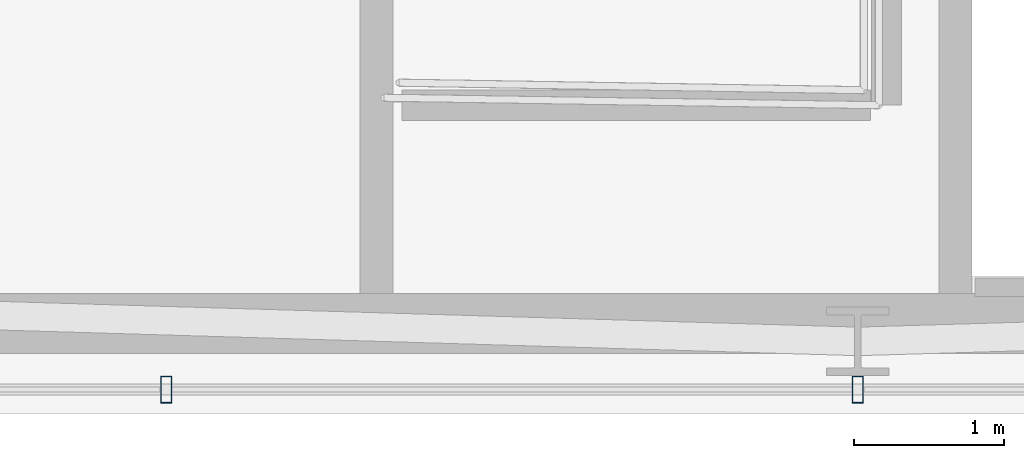
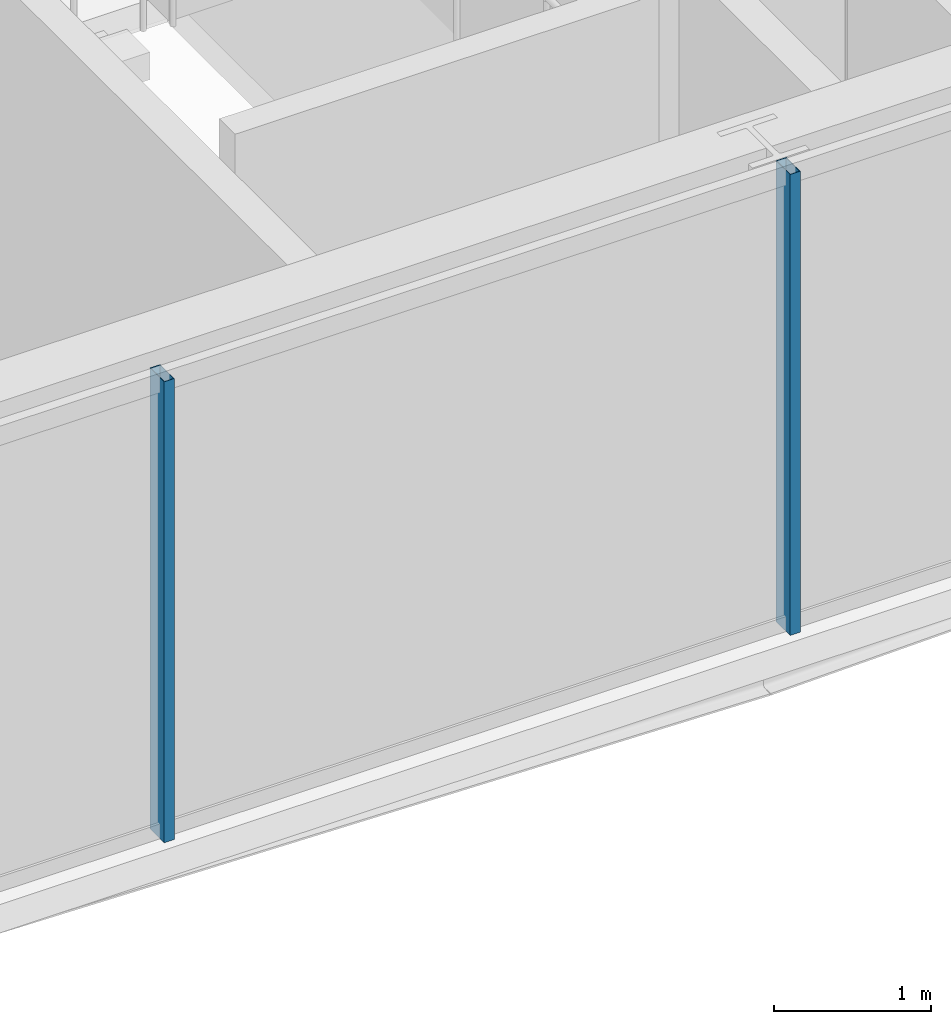
# One storey, part 7 of 33: 2 members, 1 element without a shape of its own.
"""IFC4 building model written with IfcOpenShell, lengths in metres."""

from ifc_helpers import new_model, si_unit, direction, frame, origin, origin_2d, place, context, subcontext, project, spatial, hollow_rectangle, extrude, material, layer, layer_set, material_profile, profile_set, type_object, element, aggregate, save


model = new_model("IFC4")

# Units and contexts
model_context = context("Model", 3, precision=1e-05, world=origin(), true_north=direction((0.0, 1.0)))
body_context = subcontext(model_context, "Body", "Model", "MODEL_VIEW")
ifc_project = project(units=[si_unit("LENGTHUNIT", "METRE"), si_unit("AREAUNIT", "SQUARE_METRE"), si_unit("VOLUMEUNIT", "CUBIC_METRE"), si_unit("PLANEANGLEUNIT", "RADIAN"), si_unit("MASSUNIT", "GRAM", prefix="KILO")], contexts=[model_context])

# Site, building, storey
site_placement = place(None, origin())
site = spatial("IfcSite", under=ifc_project, at=site_placement, CompositionType="ELEMENT")
building_placement = place(site_placement, origin())
building = spatial("IfcBuilding", under=site, at=building_placement, Name="Ndaravel Arena Tower", CompositionType="ELEMENT")
storey_placement = place(building_placement, frame((0.0, 0.0, 161.199951171875)))
storey = spatial("IfcBuildingStorey", under=building, at=storey_placement, Name="L38", CompositionType="ELEMENT", Elevation=161.199951171875)

# Curtain wall, members
ifc_material_1 = material(Name="Aluminium", Category="aluminium")
ifc_layer = layer(ifc_material_1, 0.179931640625)
ifc_layer_set = layer_set([ifc_layer], Name="Aluminium")
curtain_wall_type = type_object("IfcCurtainWallType", Name="CW-SYS-03", PredefinedType="NOTDEFINED", material=ifc_layer_set)
curtain_wall_placement = place(storey_placement, origin())
curtain_wall = element("IfcCurtainWall", 1, at=curtain_wall_placement, inside=storey, type_object=curtain_wall_type, Name="L38 Faceted Crystal Curtain Wall CW-L38-E01", PredefinedType="NOTDEFINED")
ifc_material_2 = material(Name="Aluminium", Category="aluminium")
ifc_material_profile = material_profile(ifc_material_2, hollow_rectangle(XDim=0.074951171875, YDim=0.179931640625, WallThickness=0.00390625, at=origin_2d()), Name="CW MULLION 75x180x4")
ifc_profile_set = profile_set([ifc_material_profile], Name="Aluminium")
member_type = type_object("IfcMemberType", Name="MEM-CW-MUL180", PredefinedType="MULLION", material=ifc_profile_set)
member_1_placement = place(storey_placement, frame((37.40234375, 5.159912109375, 0.0), z_axis=(0.0, 0.0, 1.0), x_axis=(1.0, 0.0, 0.0)))
member_1 = element("IfcMember", 2, at=member_1_placement, type_object=member_type, Name="CW-L38-E01 Mullion 03", PredefinedType="MULLION", context=body_context, shape_type="SweptSolid", body=[
    extrude(hollow_rectangle(XDim=0.074951171875, YDim=0.179931640625, WallThickness=0.00390625, at=origin_2d()), origin(), (0.0, 0.0, 1.0), 3.580078125),
])
member_2_placement = place(storey_placement, frame((42.0, 5.159912109375, 0.0), z_axis=(0.0, 0.0, 1.0), x_axis=(1.0, 0.0, 0.0)))
member_2 = element("IfcMember", 3, at=member_2_placement, type_object=member_type, Name="CW-L38-E01 Mullion 04", PredefinedType="MULLION", context=body_context, shape_type="SweptSolid", body=[
    extrude(hollow_rectangle(XDim=0.074951171875, YDim=0.179931640625, WallThickness=0.00390625, at=origin_2d()), origin(), (0.0, 0.0, 1.0), 3.580078125),
])
aggregate(curtain_wall, [member_1, member_2])

save(model, "model.ifc")
